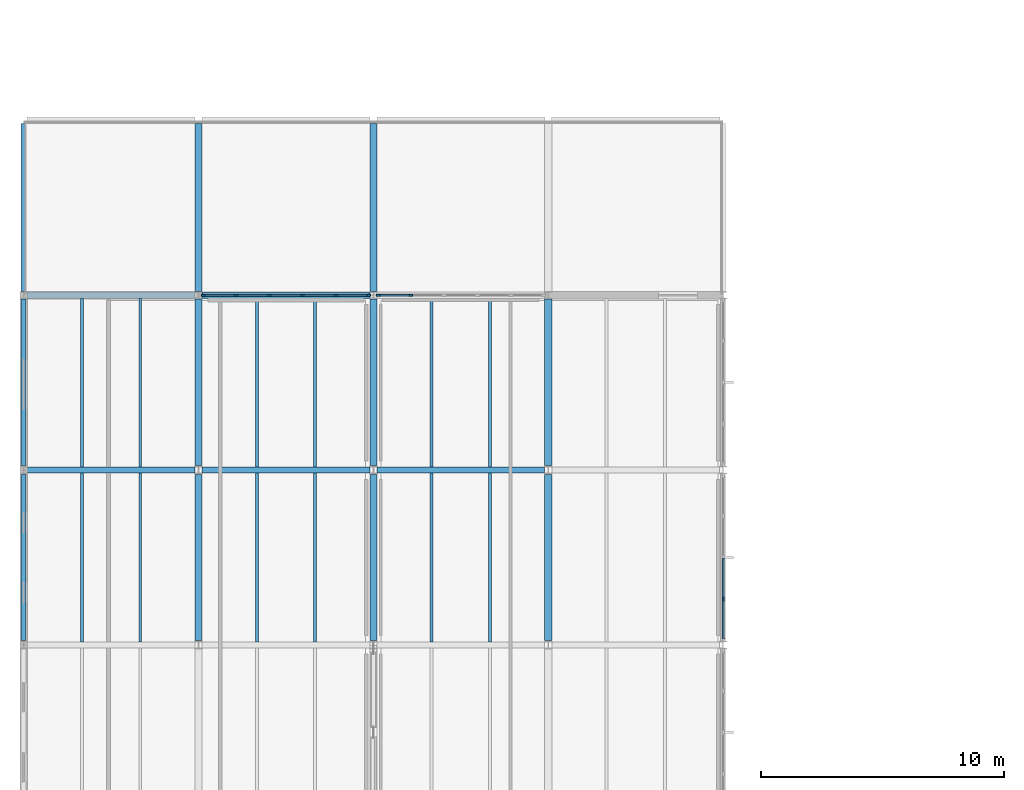
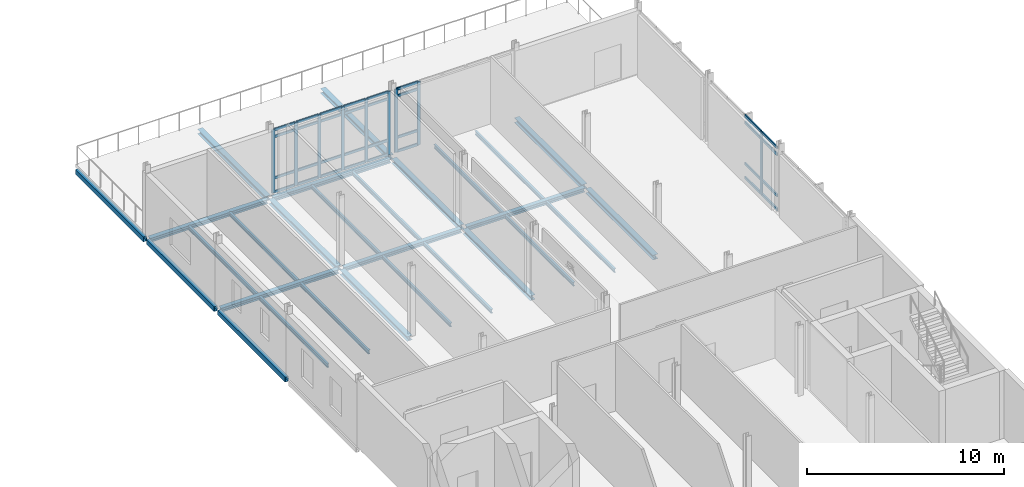
# One storey, part 5 of 21: 41 members, 28 beams, 3 elements without a shape of their own.
"""IFC4 building model written with IfcOpenShell, lengths in metres."""

from ifc_helpers import new_model, si_unit, direction, frame, origin, origin_2d, place, context, subcontext, project, spatial, rectangle, hollow_rectangle, i_section, extrude, material, layer, layer_set, material_profile, profile_set, type_object, element, aggregate, save


model = new_model("IFC4")

# Units and contexts
model_context = context("Model", 3, precision=1e-05, world=origin(), true_north=direction((0.0, 1.0)))
body_context = subcontext(model_context, "Body", "Model", "MODEL_VIEW")
ifc_project = project(units=[si_unit("LENGTHUNIT", "METRE"), si_unit("AREAUNIT", "SQUARE_METRE"), si_unit("VOLUMEUNIT", "CUBIC_METRE"), si_unit("PLANEANGLEUNIT", "RADIAN"), si_unit("MASSUNIT", "GRAM", prefix="KILO")], contexts=[model_context])

# Site, building, storey
site_placement = place(None, origin())
site = spatial("IfcSite", under=ifc_project, at=site_placement, CompositionType="ELEMENT")
building_placement = place(site_placement, origin())
building = spatial("IfcBuilding", under=site, at=building_placement, Name="Zarrinpeak Specialist Clinic", CompositionType="ELEMENT")
storey_placement = place(building_placement, frame((0.0, 0.0, 22.800048828125)))
storey = spatial("IfcBuildingStorey", under=building, at=storey_placement, Name="L05", CompositionType="ELEMENT", Elevation=22.800048828125)

# Beams
ifc_material_1 = material(Name="Steel S355", Category="steel")
ifc_material_profile_1 = material_profile(ifc_material_1, i_section(OverallWidth=0.260009765625, OverallDepth=0.25, WebThickness=0.007568359375, FlangeThickness=0.012451171875, FilletRadius=0.02392578125, at=origin_2d()), Name="HEA 260")
ifc_profile_set_1 = profile_set([ifc_material_profile_1], Name="Steel S355")
beam_type_1 = type_object("IfcBeamType", Name="BM-HEA260", PredefinedType="BEAM", material=ifc_profile_set_1)
for number, where, z_axis, x_axis, name in (
    (1, (0.14794921875, 36.0, -0.31005859375), (1.0, 0.0, 0.0), (0.0, 1.0, 0.0), "L05 Primary Floor Girder BM-L05-X2053"),
    (2, (7.347900390625, 36.0, -0.31005859375), (1.0, 0.0, 0.0), (0.0, 1.0, 0.0), "L05 Primary Floor Girder BM-L05-X2054"),
):
    element("IfcBeam", number, at=place(storey_placement, frame(where, z_axis=z_axis, x_axis=x_axis)), inside=storey, type_object=beam_type_1, Name=name, PredefinedType="BEAM", context=body_context, shape_type="SweptSolid", body=[
        extrude(i_section(OverallWidth=0.260009765625, OverallDepth=0.25, WebThickness=0.007568359375, FlangeThickness=0.012451171875, FilletRadius=0.02392578125, at=origin_2d()), origin(), (0.0, 0.0, 1.0), 6.904052734375),
    ])
beam_1_placement = place(storey_placement, frame((14.548095703125, 36.0, -0.31005859375), z_axis=(1.0, 0.0, 0.0), x_axis=(0.0, 1.0, 0.0)))
element("IfcBeam", 3, at=beam_1_placement, inside=storey, type_object=beam_type_1, Name="L05 Primary Floor Girder BM-L05-X2055", PredefinedType="BEAM", context=body_context, shape_type="SweptSolid", body=[
    extrude(i_section(OverallWidth=0.260009765625, OverallDepth=0.25, WebThickness=0.007568359375, FlangeThickness=0.012451171875, FilletRadius=0.02392578125, at=origin_2d()), origin(), (0.0, 0.0, 1.0), 6.90380859375),
])
for number, where, z_axis, x_axis, name in (
    (4, (0.14794921875, 43.199951171875, -0.344970703125), (1.0, 0.0, 0.0), (0.0, 1.0, 0.0), "L05 Primary Floor Girder BM-L05-X2057"),
    (5, (7.347900390625, 43.199951171875, -0.344970703125), (1.0, 0.0, 0.0), (0.0, 1.0, 0.0), "L05 Primary Floor Girder BM-L05-X2058"),
):
    element("IfcBeam", number, at=place(storey_placement, frame(where, z_axis=z_axis, x_axis=x_axis)), inside=storey, type_object=beam_type_1, Name=name, PredefinedType="BEAM", context=body_context, shape_type="SweptSolid", body=[
        extrude(i_section(OverallWidth=0.260009765625, OverallDepth=0.25, WebThickness=0.007568359375, FlangeThickness=0.012451171875, FilletRadius=0.02392578125, at=origin_2d()), origin(), (0.0, 0.0, 1.0), 6.904052734375),
    ])
ifc_material_profile_2 = material_profile(ifc_material_1, i_section(OverallWidth=0.300048828125, OverallDepth=0.2900390625, WebThickness=0.008544921875, FlangeThickness=0.013916015625, FilletRadius=0.027099609375, at=origin_2d()), Name="HEA 300")
ifc_profile_set_2 = profile_set([ifc_material_profile_2], Name="Steel S355")
beam_type_2 = type_object("IfcBeamType", Name="BM-HEA300", PredefinedType="BEAM", material=ifc_profile_set_2)
beam_2_placement = place(storey_placement, frame((7.199951171875, 28.97802734375, -0.330078125), z_axis=(0.0, 1.0, 0.0), x_axis=(-1.0, 0.0, 0.0)))
element("IfcBeam", 6, at=beam_2_placement, inside=storey, type_object=beam_type_2, Name="L05 Primary Beam BM-L05-Y2091", PredefinedType="BEAM", context=body_context, shape_type="SweptSolid", body=[
    extrude(i_section(OverallWidth=0.300048828125, OverallDepth=0.2900390625, WebThickness=0.008544921875, FlangeThickness=0.013916015625, FilletRadius=0.027099609375, at=origin_2d()), origin(), (0.0, 0.0, 1.0), 6.843994140625),
])
beam_3_placement = place(storey_placement, frame((7.199951171875, 36.177978515625, -0.330078125), z_axis=(0.0, 1.0, 0.0), x_axis=(-1.0, 0.0, 0.0)))
element("IfcBeam", 7, at=beam_3_placement, inside=storey, type_object=beam_type_2, Name="L05 Primary Beam BM-L05-Y2092", PredefinedType="BEAM", context=body_context, shape_type="SweptSolid", body=[
    extrude(i_section(OverallWidth=0.300048828125, OverallDepth=0.2900390625, WebThickness=0.008544921875, FlangeThickness=0.013916015625, FilletRadius=0.027099609375, at=origin_2d()), origin(), (0.0, 0.0, 1.0), 6.864013671875),
])
beam_4_placement = place(storey_placement, frame((7.199951171875, 43.35791015625, -0.364990234375), z_axis=(0.0, 1.0, 0.0), x_axis=(-1.0, 0.0, 0.0)))
element("IfcBeam", 8, at=beam_4_placement, inside=storey, type_object=beam_type_2, Name="L05 Primary Beam BM-L05-Y2093", PredefinedType="BEAM", context=body_context, shape_type="SweptSolid", body=[
    extrude(i_section(OverallWidth=0.300048828125, OverallDepth=0.2900390625, WebThickness=0.008544921875, FlangeThickness=0.013916015625, FilletRadius=0.027099609375, at=origin_2d()), origin(), (0.0, 0.0, 1.0), 6.904052734375),
])
beam_5_placement = place(storey_placement, frame((14.39990234375, 28.97802734375, -0.330078125), z_axis=(0.0, 1.0, 0.0), x_axis=(-1.0, 0.0, 0.0)))
element("IfcBeam", 9, at=beam_5_placement, inside=storey, type_object=beam_type_2, Name="L05 Primary Beam BM-L05-Y2098", PredefinedType="BEAM", context=body_context, shape_type="SweptSolid", body=[
    extrude(i_section(OverallWidth=0.300048828125, OverallDepth=0.2900390625, WebThickness=0.008544921875, FlangeThickness=0.013916015625, FilletRadius=0.027099609375, at=origin_2d()), origin(), (0.0, 0.0, 1.0), 6.843994140625),
])
beam_6_placement = place(storey_placement, frame((14.39990234375, 36.177978515625, -0.330078125), z_axis=(0.0, 1.0, 0.0), x_axis=(-1.0, 0.0, 0.0)))
element("IfcBeam", 10, at=beam_6_placement, inside=storey, type_object=beam_type_2, Name="L05 Primary Beam BM-L05-Y2099", PredefinedType="BEAM", context=body_context, shape_type="SweptSolid", body=[
    extrude(i_section(OverallWidth=0.300048828125, OverallDepth=0.2900390625, WebThickness=0.008544921875, FlangeThickness=0.013916015625, FilletRadius=0.027099609375, at=origin_2d()), origin(), (0.0, 0.0, 1.0), 6.864013671875),
])
beam_7_placement = place(storey_placement, frame((14.39990234375, 43.35791015625, -0.364990234375), z_axis=(0.0, 1.0, 0.0), x_axis=(-1.0, 0.0, 0.0)))
element("IfcBeam", 11, at=beam_7_placement, inside=storey, type_object=beam_type_2, Name="L05 Primary Beam BM-L05-Y2100", PredefinedType="BEAM", context=body_context, shape_type="SweptSolid", body=[
    extrude(i_section(OverallWidth=0.300048828125, OverallDepth=0.2900390625, WebThickness=0.008544921875, FlangeThickness=0.013916015625, FilletRadius=0.027099609375, at=origin_2d()), origin(), (0.0, 0.0, 1.0), 6.904052734375),
])
beam_8_placement = place(storey_placement, frame((21.60009765625, 28.97802734375, -0.330078125), z_axis=(0.0, 1.0, 0.0), x_axis=(-1.0, 0.0, 0.0)))
element("IfcBeam", 12, at=beam_8_placement, inside=storey, type_object=beam_type_2, Name="L05 Primary Beam BM-L05-Y2105", PredefinedType="BEAM", context=body_context, shape_type="SweptSolid", body=[
    extrude(i_section(OverallWidth=0.300048828125, OverallDepth=0.2900390625, WebThickness=0.008544921875, FlangeThickness=0.013916015625, FilletRadius=0.027099609375, at=origin_2d()), origin(), (0.0, 0.0, 1.0), 6.843994140625),
])
beam_9_placement = place(storey_placement, frame((21.60009765625, 36.177978515625, -0.330078125), z_axis=(0.0, 1.0, 0.0), x_axis=(-1.0, 0.0, 0.0)))
element("IfcBeam", 13, at=beam_9_placement, inside=storey, type_object=beam_type_2, Name="L05 Primary Beam BM-L05-Y2106", PredefinedType="BEAM", context=body_context, shape_type="SweptSolid", body=[
    extrude(i_section(OverallWidth=0.300048828125, OverallDepth=0.2900390625, WebThickness=0.008544921875, FlangeThickness=0.013916015625, FilletRadius=0.027099609375, at=origin_2d()), origin(), (0.0, 0.0, 1.0), 6.864013671875),
])
ifc_material_profile_3 = material_profile(ifc_material_1, i_section(OverallWidth=0.1201171875, OverallDepth=0.239990234375, WebThickness=0.006103515625, FlangeThickness=0.009765625, FilletRadius=0.014892578125, at=origin_2d()), Name="IPE 240")
ifc_profile_set_3 = profile_set([ifc_material_profile_3], Name="Steel S355")
beam_type_3 = type_object("IfcBeamType", Name="BM-JST240", PredefinedType="JOIST", material=ifc_profile_set_3)
for number, where, z_axis, x_axis, name in (
    (14, (2.39990234375, 28.927978515625, -0.304931640625), (0.0, 1.0, 0.0), (-1.0, 0.0, 0.0), "L05 Composite Floor Joist JST-L05-2130"),
    (15, (4.800048828125, 28.927978515625, -0.304931640625), (0.0, 1.0, 0.0), (-1.0, 0.0, 0.0), "L05 Composite Floor Joist JST-L05-2131"),
    (16, (2.39990234375, 36.1279296875, -0.304931640625), (0.0, 1.0, 0.0), (-1.0, 0.0, 0.0), "L05 Composite Floor Joist JST-L05-2132"),
    (17, (4.800048828125, 36.1279296875, -0.304931640625), (0.0, 1.0, 0.0), (-1.0, 0.0, 0.0), "L05 Composite Floor Joist JST-L05-2133"),
    (18, (9.60009765625, 28.927978515625, -0.304931640625), (0.0, 1.0, 0.0), (-1.0, 0.0, 0.0), "L05 Composite Floor Joist JST-L05-2142"),
    (19, (12.0, 28.927978515625, -0.304931640625), (0.0, 1.0, 0.0), (-1.0, 0.0, 0.0), "L05 Composite Floor Joist JST-L05-2143"),
    (20, (9.60009765625, 36.1279296875, -0.304931640625), (0.0, 1.0, 0.0), (-1.0, 0.0, 0.0), "L05 Composite Floor Joist JST-L05-2144"),
    (21, (12.0, 36.1279296875, -0.304931640625), (0.0, 1.0, 0.0), (-1.0, 0.0, 0.0), "L05 Composite Floor Joist JST-L05-2145"),
    (22, (16.800048828125, 28.927978515625, -0.304931640625), (0.0, 1.0, 0.0), (-1.0, 0.0, 0.0), "L05 Composite Floor Joist JST-L05-2154"),
    (23, (19.199951171875, 28.927978515625, -0.304931640625), (0.0, 1.0, 0.0), (-1.0, 0.0, 0.0), "L05 Composite Floor Joist JST-L05-2155"),
    (24, (16.800048828125, 36.1279296875, -0.304931640625), (0.0, 1.0, 0.0), (-1.0, 0.0, 0.0), "L05 Composite Floor Joist JST-L05-2156"),
    (25, (19.199951171875, 36.1279296875, -0.304931640625), (0.0, 1.0, 0.0), (-1.0, 0.0, 0.0), "L05 Composite Floor Joist JST-L05-2157"),
):
    element("IfcBeam", number, at=place(storey_placement, frame(where, z_axis=z_axis, x_axis=x_axis)), inside=storey, type_object=beam_type_3, Name=name, PredefinedType="JOIST", context=body_context, shape_type="SweptSolid", body=[
        extrude(i_section(OverallWidth=0.1201171875, OverallDepth=0.239990234375, WebThickness=0.006103515625, FlangeThickness=0.009765625, FilletRadius=0.014892578125, at=origin_2d()), origin(), (0.0, 0.0, 1.0), 6.944091796875),
    ])
ifc_material_profile_4 = material_profile(ifc_material_1, hollow_rectangle(XDim=0.199951171875, YDim=0.300048828125, WallThickness=0.012451171875, at=origin_2d()), Name="RHS 300x200x12.5")
ifc_profile_set_4 = profile_set([ifc_material_profile_4], Name="Steel S355")
beam_type_4 = type_object("IfcBeamType", Name="BM-SP300", PredefinedType="SPANDREL", material=ifc_profile_set_4)
beam_10_placement = place(storey_placement, frame((0.0, 28.97802734375, -0.3349609375), z_axis=(0.0, 1.0, 0.0), x_axis=(-1.0, 0.0, 0.0)))
element("IfcBeam", 26, at=beam_10_placement, inside=storey, type_object=beam_type_4, Name="L05 Perimeter Spandrel Beam BM-L05-Y2084", PredefinedType="SPANDREL", context=body_context, shape_type="SweptSolid", body=[
    extrude(hollow_rectangle(XDim=0.199951171875, YDim=0.300048828125, WallThickness=0.012451171875, at=origin_2d()), origin(), (0.0, 0.0, 1.0), 6.843994140625),
])
beam_11_placement = place(storey_placement, frame((0.0, 36.177978515625, -0.3349609375), z_axis=(0.0, 1.0, 0.0), x_axis=(-1.0, 0.0, 0.0)))
element("IfcBeam", 27, at=beam_11_placement, inside=storey, type_object=beam_type_4, Name="L05 Perimeter Spandrel Beam BM-L05-Y2085", PredefinedType="SPANDREL", context=body_context, shape_type="SweptSolid", body=[
    extrude(hollow_rectangle(XDim=0.199951171875, YDim=0.300048828125, WallThickness=0.012451171875, at=origin_2d()), origin(), (0.0, 0.0, 1.0), 6.864013671875),
])
beam_12_placement = place(storey_placement, frame((0.0, 43.35791015625, -0.3701171875), z_axis=(0.0, 1.0, 0.0), x_axis=(-1.0, 0.0, 0.0)))
element("IfcBeam", 28, at=beam_12_placement, inside=storey, type_object=beam_type_4, Name="L05 Perimeter Spandrel Beam BM-L05-Y2086", PredefinedType="SPANDREL", context=body_context, shape_type="SweptSolid", body=[
    extrude(hollow_rectangle(XDim=0.199951171875, YDim=0.300048828125, WallThickness=0.012451171875, at=origin_2d()), origin(), (0.0, 0.0, 1.0), 6.904052734375),
])

# Curtain wall, members
ifc_material_2 = material(Name="Anodised Aluminium Alloy 6063-T6", Category="aluminium")
ifc_layer_1 = layer(ifc_material_2, 0.1650390625)
ifc_layer_set_1 = layer_set([ifc_layer_1], Name="Anodised Aluminium Alloy 6063-T6")
curtain_wall_type_1 = type_object("IfcCurtainWallType", Name="CW-CLINIC", PredefinedType="NOTDEFINED", material=ifc_layer_set_1)
curtain_wall_1_placement = place(storey_placement, origin())
curtain_wall_1 = element("IfcCurtainWall", 29, at=curtain_wall_1_placement, inside=storey, type_object=curtain_wall_type_1, Name="L05 V1 Unitised Curtain Wall CW-L05-V1-031", PredefinedType="NOTDEFINED")
ifc_material_profile_5 = material_profile(ifc_material_2, rectangle(XDim=0.074951171875, YDim=0.179931640625, at=origin_2d()), Name="ALU 75x180")
ifc_profile_set_5 = profile_set([ifc_material_profile_5], Name="Anodised Aluminium Alloy 6063-T6")
member_type_1 = type_object("IfcMemberType", Name="CWM-75", PredefinedType="MULLION", material=ifc_profile_set_5)
member_1_placement = place(storey_placement, frame((14.197509765625, 43.199951171875, 0.0), z_axis=(0.0, 0.0, 1.0), x_axis=(0.0, -1.0, 0.0)))
member_1 = element("IfcMember", 30, at=member_1_placement, type_object=member_type_1, Name="CW-03 mullion 1", PredefinedType="MULLION", context=body_context, shape_type="SweptSolid", body=[
    extrude(rectangle(XDim=0.074951171875, YDim=0.179931640625, at=origin_2d()), origin(), (0.0, 0.0, 1.0), 3.9150390625),
])
member_2_placement = place(storey_placement, frame((12.861083984375, 43.199951171875, 0.0), z_axis=(0.0, 0.0, 1.0), x_axis=(0.0, -1.0, 0.0)))
member_2 = element("IfcMember", 31, at=member_2_placement, type_object=member_type_1, Name="CW-03 mullion 2", PredefinedType="MULLION", context=body_context, shape_type="SweptSolid", body=[
    extrude(rectangle(XDim=0.074951171875, YDim=0.179931640625, at=origin_2d()), origin(), (0.0, 0.0, 1.0), 3.9150390625),
])
member_3_placement = place(storey_placement, frame((11.487060546875, 43.199951171875, 0.0), z_axis=(0.0, 0.0, 1.0), x_axis=(0.0, -1.0, 0.0)))
member_3 = element("IfcMember", 32, at=member_3_placement, type_object=member_type_1, Name="CW-03 mullion 3", PredefinedType="MULLION", context=body_context, shape_type="SweptSolid", body=[
    extrude(rectangle(XDim=0.074951171875, YDim=0.179931640625, at=origin_2d()), origin(), (0.0, 0.0, 1.0), 3.9150390625),
])
member_4_placement = place(storey_placement, frame((10.113037109375, 43.199951171875, 0.0), z_axis=(0.0, 0.0, 1.0), x_axis=(0.0, -1.0, 0.0)))
member_4 = element("IfcMember", 33, at=member_4_placement, type_object=member_type_1, Name="CW-03 mullion 4", PredefinedType="MULLION", context=body_context, shape_type="SweptSolid", body=[
    extrude(rectangle(XDim=0.074951171875, YDim=0.179931640625, at=origin_2d()), origin(), (0.0, 0.0, 1.0), 3.9150390625),
])
member_5_placement = place(storey_placement, frame((8.739013671875, 43.199951171875, 0.0), z_axis=(0.0, 0.0, 1.0), x_axis=(0.0, -1.0, 0.0)))
member_5 = element("IfcMember", 34, at=member_5_placement, type_object=member_type_1, Name="CW-03 mullion 5", PredefinedType="MULLION", context=body_context, shape_type="SweptSolid", body=[
    extrude(rectangle(XDim=0.074951171875, YDim=0.179931640625, at=origin_2d()), origin(), (0.0, 0.0, 1.0), 3.9150390625),
])
member_6_placement = place(storey_placement, frame((7.402587890625, 43.199951171875, 0.0), z_axis=(0.0, 0.0, 1.0), x_axis=(0.0, -1.0, 0.0)))
member_6 = element("IfcMember", 35, at=member_6_placement, type_object=member_type_1, Name="CW-03 mullion 6", PredefinedType="MULLION", context=body_context, shape_type="SweptSolid", body=[
    extrude(rectangle(XDim=0.074951171875, YDim=0.179931640625, at=origin_2d()), origin(), (0.0, 0.0, 1.0), 3.9150390625),
])

curtain_wall_2_placement = place(storey_placement, origin())
curtain_wall_2 = element("IfcCurtainWall", 36, at=curtain_wall_2_placement, inside=storey, type_object=curtain_wall_type_1, Name="L05 V1 Unitised Curtain Wall CW-L05-V1-032", PredefinedType="NOTDEFINED")
member_7_placement = place(storey_placement, frame((15.93896484375, 43.199951171875, 0.0), z_axis=(0.0, 0.0, 1.0), x_axis=(0.0, -1.0, 0.0)))
member_7 = element("IfcMember", 37, at=member_7_placement, type_object=member_type_1, Name="CW-03 mullion 5", PredefinedType="MULLION", context=body_context, shape_type="SweptSolid", body=[
    extrude(rectangle(XDim=0.074951171875, YDim=0.179931640625, at=origin_2d()), origin(), (0.0, 0.0, 1.0), 3.9150390625),
])
member_8_placement = place(storey_placement, frame((14.6025390625, 43.199951171875, 0.0), z_axis=(0.0, 0.0, 1.0), x_axis=(0.0, -1.0, 0.0)))
member_8 = element("IfcMember", 38, at=member_8_placement, type_object=member_type_1, Name="CW-03 mullion 6", PredefinedType="MULLION", context=body_context, shape_type="SweptSolid", body=[
    extrude(rectangle(XDim=0.074951171875, YDim=0.179931640625, at=origin_2d()), origin(), (0.0, 0.0, 1.0), 3.9150390625),
])

# Curtain wall, member
ifc_layer_2 = layer(ifc_material_2, 0.179931640625)
ifc_layer_set_2 = layer_set([ifc_layer_2], Name="Anodised Aluminium Alloy 6063-T6")
curtain_wall_type_2 = type_object("IfcCurtainWallType", Name="CW-COURT", PredefinedType="NOTDEFINED", material=ifc_layer_set_2)
curtain_wall_3_placement = place(storey_placement, origin())
curtain_wall_3 = element("IfcCurtainWall", 39, at=curtain_wall_3_placement, inside=storey, type_object=curtain_wall_type_2, Name="L05 V1 Unitised Curtain Wall CW-L05-V1-034", PredefinedType="NOTDEFINED")
member_9_placement = place(storey_placement, frame((28.800048828125, 30.6923828125, 0.0), z_axis=(0.0, 0.0, 1.0), x_axis=(-1.0, 0.0, 0.0)))
member_9 = element("IfcMember", 40, at=member_9_placement, type_object=member_type_1, Name="CW-01 mullion 2", PredefinedType="MULLION", context=body_context, shape_type="SweptSolid", body=[
    extrude(rectangle(XDim=0.074951171875, YDim=0.179931640625, at=origin_2d()), origin(), (0.0, 0.0, 1.0), 3.89990234375),
])

# Member
ifc_material_profile_6 = material_profile(ifc_material_2, rectangle(XDim=0.074951171875, YDim=0.159912109375, at=origin_2d()), Name="ALU 75x160")
ifc_profile_set_6 = profile_set([ifc_material_profile_6], Name="Anodised Aluminium Alloy 6063-T6")
member_type_2 = type_object("IfcMemberType", Name="CWT-75", PredefinedType="USERDEFINED", material=ifc_profile_set_6)
member_10_placement = place(storey_placement, frame((14.159912109375, 43.199951171875, 0.037353515625), z_axis=(-1.0, 0.0, 0.0), x_axis=(0.0, -1.0, 0.0)))
member_10 = element("IfcMember", 41, at=member_10_placement, type_object=member_type_2, Name="CW-03 transom 1.1", ObjectType="TRANSOM", PredefinedType="USERDEFINED", context=body_context, shape_type="SweptSolid", body=[
    extrude(rectangle(XDim=0.074951171875, YDim=0.159912109375, at=origin_2d()), origin(), (0.0, 0.0, 1.0), 1.261474609375),
])

member_11_placement = place(storey_placement, frame((14.159912109375, 43.199951171875, 0.89990234375), z_axis=(-1.0, 0.0, 0.0), x_axis=(0.0, -1.0, 0.0)))
member_11 = element("IfcMember", 42, at=member_11_placement, type_object=member_type_2, Name="CW-03 transom 1.2", ObjectType="TRANSOM", PredefinedType="USERDEFINED", context=body_context, shape_type="SweptSolid", body=[
    extrude(rectangle(XDim=0.074951171875, YDim=0.159912109375, at=origin_2d()), origin(), (0.0, 0.0, 1.0), 1.261474609375),
])

member_12_placement = place(storey_placement, frame((14.159912109375, 43.199951171875, 3.46484375), z_axis=(-1.0, 0.0, 0.0), x_axis=(0.0, -1.0, 0.0)))
member_12 = element("IfcMember", 43, at=member_12_placement, type_object=member_type_2, Name="CW-03 transom 1.3", ObjectType="TRANSOM", PredefinedType="USERDEFINED", context=body_context, shape_type="SweptSolid", body=[
    extrude(rectangle(XDim=0.074951171875, YDim=0.159912109375, at=origin_2d()), origin(), (0.0, 0.0, 1.0), 1.261474609375),
])

member_13_placement = place(storey_placement, frame((14.159912109375, 43.199951171875, 3.87744140625), z_axis=(-1.0, 0.0, 0.0), x_axis=(0.0, -1.0, 0.0)))
member_13 = element("IfcMember", 44, at=member_13_placement, type_object=member_type_2, Name="CW-03 transom 1.4", ObjectType="TRANSOM", PredefinedType="USERDEFINED", context=body_context, shape_type="SweptSolid", body=[
    extrude(rectangle(XDim=0.074951171875, YDim=0.159912109375, at=origin_2d()), origin(), (0.0, 0.0, 1.0), 1.261474609375),
])

member_14_placement = place(storey_placement, frame((12.823486328125, 43.199951171875, 0.037353515625), z_axis=(-1.0, 0.0, 0.0), x_axis=(0.0, -1.0, 0.0)))
member_14 = element("IfcMember", 45, at=member_14_placement, type_object=member_type_2, Name="CW-03 transom 2.1", ObjectType="TRANSOM", PredefinedType="USERDEFINED", context=body_context, shape_type="SweptSolid", body=[
    extrude(rectangle(XDim=0.074951171875, YDim=0.159912109375, at=origin_2d()), origin(), (0.0, 0.0, 1.0), 1.299072265625),
])

member_15_placement = place(storey_placement, frame((12.823486328125, 43.199951171875, 0.89990234375), z_axis=(-1.0, 0.0, 0.0), x_axis=(0.0, -1.0, 0.0)))
member_15 = element("IfcMember", 46, at=member_15_placement, type_object=member_type_2, Name="CW-03 transom 2.2", ObjectType="TRANSOM", PredefinedType="USERDEFINED", context=body_context, shape_type="SweptSolid", body=[
    extrude(rectangle(XDim=0.074951171875, YDim=0.159912109375, at=origin_2d()), origin(), (0.0, 0.0, 1.0), 1.299072265625),
])

member_16_placement = place(storey_placement, frame((12.823486328125, 43.199951171875, 3.46484375), z_axis=(-1.0, 0.0, 0.0), x_axis=(0.0, -1.0, 0.0)))
member_16 = element("IfcMember", 47, at=member_16_placement, type_object=member_type_2, Name="CW-03 transom 2.3", ObjectType="TRANSOM", PredefinedType="USERDEFINED", context=body_context, shape_type="SweptSolid", body=[
    extrude(rectangle(XDim=0.074951171875, YDim=0.159912109375, at=origin_2d()), origin(), (0.0, 0.0, 1.0), 1.299072265625),
])

member_17_placement = place(storey_placement, frame((12.823486328125, 43.199951171875, 3.87744140625), z_axis=(-1.0, 0.0, 0.0), x_axis=(0.0, -1.0, 0.0)))
member_17 = element("IfcMember", 48, at=member_17_placement, type_object=member_type_2, Name="CW-03 transom 2.4", ObjectType="TRANSOM", PredefinedType="USERDEFINED", context=body_context, shape_type="SweptSolid", body=[
    extrude(rectangle(XDim=0.074951171875, YDim=0.159912109375, at=origin_2d()), origin(), (0.0, 0.0, 1.0), 1.299072265625),
])

member_18_placement = place(storey_placement, frame((11.449462890625, 43.199951171875, 0.037353515625), z_axis=(-1.0, 0.0, 0.0), x_axis=(0.0, -1.0, 0.0)))
member_18 = element("IfcMember", 49, at=member_18_placement, type_object=member_type_2, Name="CW-03 transom 3.1", ObjectType="TRANSOM", PredefinedType="USERDEFINED", context=body_context, shape_type="SweptSolid", body=[
    extrude(rectangle(XDim=0.074951171875, YDim=0.159912109375, at=origin_2d()), origin(), (0.0, 0.0, 1.0), 1.299072265625),
])

member_19_placement = place(storey_placement, frame((11.449462890625, 43.199951171875, 0.89990234375), z_axis=(-1.0, 0.0, 0.0), x_axis=(0.0, -1.0, 0.0)))
member_19 = element("IfcMember", 50, at=member_19_placement, type_object=member_type_2, Name="CW-03 transom 3.2", ObjectType="TRANSOM", PredefinedType="USERDEFINED", context=body_context, shape_type="SweptSolid", body=[
    extrude(rectangle(XDim=0.074951171875, YDim=0.159912109375, at=origin_2d()), origin(), (0.0, 0.0, 1.0), 1.299072265625),
])

member_20_placement = place(storey_placement, frame((11.449462890625, 43.199951171875, 3.46484375), z_axis=(-1.0, 0.0, 0.0), x_axis=(0.0, -1.0, 0.0)))
member_20 = element("IfcMember", 51, at=member_20_placement, type_object=member_type_2, Name="CW-03 transom 3.3", ObjectType="TRANSOM", PredefinedType="USERDEFINED", context=body_context, shape_type="SweptSolid", body=[
    extrude(rectangle(XDim=0.074951171875, YDim=0.159912109375, at=origin_2d()), origin(), (0.0, 0.0, 1.0), 1.299072265625),
])

member_21_placement = place(storey_placement, frame((11.449462890625, 43.199951171875, 3.87744140625), z_axis=(-1.0, 0.0, 0.0), x_axis=(0.0, -1.0, 0.0)))
member_21 = element("IfcMember", 52, at=member_21_placement, type_object=member_type_2, Name="CW-03 transom 3.4", ObjectType="TRANSOM", PredefinedType="USERDEFINED", context=body_context, shape_type="SweptSolid", body=[
    extrude(rectangle(XDim=0.074951171875, YDim=0.159912109375, at=origin_2d()), origin(), (0.0, 0.0, 1.0), 1.299072265625),
])

member_22_placement = place(storey_placement, frame((10.075439453125, 43.199951171875, 0.037353515625), z_axis=(-1.0, 0.0, 0.0), x_axis=(0.0, -1.0, 0.0)))
member_22 = element("IfcMember", 53, at=member_22_placement, type_object=member_type_2, Name="CW-03 transom 4.1", ObjectType="TRANSOM", PredefinedType="USERDEFINED", context=body_context, shape_type="SweptSolid", body=[
    extrude(rectangle(XDim=0.074951171875, YDim=0.159912109375, at=origin_2d()), origin(), (0.0, 0.0, 1.0), 1.298828125),
])

member_23_placement = place(storey_placement, frame((10.075439453125, 43.199951171875, 0.89990234375), z_axis=(-1.0, 0.0, 0.0), x_axis=(0.0, -1.0, 0.0)))
member_23 = element("IfcMember", 54, at=member_23_placement, type_object=member_type_2, Name="CW-03 transom 4.2", ObjectType="TRANSOM", PredefinedType="USERDEFINED", context=body_context, shape_type="SweptSolid", body=[
    extrude(rectangle(XDim=0.074951171875, YDim=0.159912109375, at=origin_2d()), origin(), (0.0, 0.0, 1.0), 1.298828125),
])

member_24_placement = place(storey_placement, frame((10.075439453125, 43.199951171875, 3.46484375), z_axis=(-1.0, 0.0, 0.0), x_axis=(0.0, -1.0, 0.0)))
member_24 = element("IfcMember", 55, at=member_24_placement, type_object=member_type_2, Name="CW-03 transom 4.3", ObjectType="TRANSOM", PredefinedType="USERDEFINED", context=body_context, shape_type="SweptSolid", body=[
    extrude(rectangle(XDim=0.074951171875, YDim=0.159912109375, at=origin_2d()), origin(), (0.0, 0.0, 1.0), 1.298828125),
])

member_25_placement = place(storey_placement, frame((10.075439453125, 43.199951171875, 3.87744140625), z_axis=(-1.0, 0.0, 0.0), x_axis=(0.0, -1.0, 0.0)))
member_25 = element("IfcMember", 56, at=member_25_placement, type_object=member_type_2, Name="CW-03 transom 4.4", ObjectType="TRANSOM", PredefinedType="USERDEFINED", context=body_context, shape_type="SweptSolid", body=[
    extrude(rectangle(XDim=0.074951171875, YDim=0.159912109375, at=origin_2d()), origin(), (0.0, 0.0, 1.0), 1.298828125),
])

member_26_placement = place(storey_placement, frame((8.701416015625, 43.199951171875, 0.037353515625), z_axis=(-1.0, 0.0, 0.0), x_axis=(0.0, -1.0, 0.0)))
member_26 = element("IfcMember", 57, at=member_26_placement, type_object=member_type_2, Name="CW-03 transom 5.1", ObjectType="TRANSOM", PredefinedType="USERDEFINED", context=body_context, shape_type="SweptSolid", body=[
    extrude(rectangle(XDim=0.074951171875, YDim=0.159912109375, at=origin_2d()), origin(), (0.0, 0.0, 1.0), 1.261474609375),
])

member_27_placement = place(storey_placement, frame((8.701416015625, 43.199951171875, 0.89990234375), z_axis=(-1.0, 0.0, 0.0), x_axis=(0.0, -1.0, 0.0)))
member_27 = element("IfcMember", 58, at=member_27_placement, type_object=member_type_2, Name="CW-03 transom 5.2", ObjectType="TRANSOM", PredefinedType="USERDEFINED", context=body_context, shape_type="SweptSolid", body=[
    extrude(rectangle(XDim=0.074951171875, YDim=0.159912109375, at=origin_2d()), origin(), (0.0, 0.0, 1.0), 1.261474609375),
])

member_28_placement = place(storey_placement, frame((8.701416015625, 43.199951171875, 3.46484375), z_axis=(-1.0, 0.0, 0.0), x_axis=(0.0, -1.0, 0.0)))
member_28 = element("IfcMember", 59, at=member_28_placement, type_object=member_type_2, Name="CW-03 transom 5.3", ObjectType="TRANSOM", PredefinedType="USERDEFINED", context=body_context, shape_type="SweptSolid", body=[
    extrude(rectangle(XDim=0.074951171875, YDim=0.159912109375, at=origin_2d()), origin(), (0.0, 0.0, 1.0), 1.261474609375),
])

member_29_placement = place(storey_placement, frame((8.701416015625, 43.199951171875, 3.87744140625), z_axis=(-1.0, 0.0, 0.0), x_axis=(0.0, -1.0, 0.0)))
member_29 = element("IfcMember", 60, at=member_29_placement, type_object=member_type_2, Name="CW-03 transom 5.4", ObjectType="TRANSOM", PredefinedType="USERDEFINED", context=body_context, shape_type="SweptSolid", body=[
    extrude(rectangle(XDim=0.074951171875, YDim=0.159912109375, at=origin_2d()), origin(), (0.0, 0.0, 1.0), 1.261474609375),
])

aggregate(curtain_wall_1, [member_1, member_2, member_3, member_4, member_5, member_6, member_10, member_11, member_12, member_13, member_14, member_15, member_16, member_17, member_18, member_19, member_20, member_21, member_22, member_23, member_24, member_25, member_26, member_27, member_28, member_29])

member_30_placement = place(storey_placement, frame((15.901611328125, 43.199951171875, 0.037353515625), z_axis=(-1.0, 0.0, 0.0), x_axis=(0.0, -1.0, 0.0)))
member_30 = element("IfcMember", 61, at=member_30_placement, type_object=member_type_2, Name="CW-03 transom 5.1", ObjectType="TRANSOM", PredefinedType="USERDEFINED", context=body_context, shape_type="SweptSolid", body=[
    extrude(rectangle(XDim=0.074951171875, YDim=0.159912109375, at=origin_2d()), origin(), (0.0, 0.0, 1.0), 1.26171875),
])

member_31_placement = place(storey_placement, frame((15.901611328125, 43.199951171875, 0.89990234375), z_axis=(-1.0, 0.0, 0.0), x_axis=(0.0, -1.0, 0.0)))
member_31 = element("IfcMember", 62, at=member_31_placement, type_object=member_type_2, Name="CW-03 transom 5.2", ObjectType="TRANSOM", PredefinedType="USERDEFINED", context=body_context, shape_type="SweptSolid", body=[
    extrude(rectangle(XDim=0.074951171875, YDim=0.159912109375, at=origin_2d()), origin(), (0.0, 0.0, 1.0), 1.26171875),
])

member_32_placement = place(storey_placement, frame((15.901611328125, 43.199951171875, 3.46484375), z_axis=(-1.0, 0.0, 0.0), x_axis=(0.0, -1.0, 0.0)))
member_32 = element("IfcMember", 63, at=member_32_placement, type_object=member_type_2, Name="CW-03 transom 5.3", ObjectType="TRANSOM", PredefinedType="USERDEFINED", context=body_context, shape_type="SweptSolid", body=[
    extrude(rectangle(XDim=0.074951171875, YDim=0.159912109375, at=origin_2d()), origin(), (0.0, 0.0, 1.0), 1.26171875),
])

member_33_placement = place(storey_placement, frame((15.901611328125, 43.199951171875, 3.87744140625), z_axis=(-1.0, 0.0, 0.0), x_axis=(0.0, -1.0, 0.0)))
member_33 = element("IfcMember", 64, at=member_33_placement, type_object=member_type_2, Name="CW-03 transom 5.4", ObjectType="TRANSOM", PredefinedType="USERDEFINED", context=body_context, shape_type="SweptSolid", body=[
    extrude(rectangle(XDim=0.074951171875, YDim=0.159912109375, at=origin_2d()), origin(), (0.0, 0.0, 1.0), 1.26171875),
])

aggregate(curtain_wall_2, [member_7, member_8, member_30, member_31, member_32, member_33])

member_34_placement = place(storey_placement, frame((28.800048828125, 29.06005859375, 0.037353515625), z_axis=(0.0, 1.0, 0.0), x_axis=(-1.0, 0.0, 0.0)))
member_34 = element("IfcMember", 65, at=member_34_placement, type_object=member_type_2, Name="CW-01 transom 1.1", ObjectType="TRANSOM", PredefinedType="USERDEFINED", context=body_context, shape_type="SweptSolid", body=[
    extrude(rectangle(XDim=0.074951171875, YDim=0.159912109375, at=origin_2d()), origin(), (0.0, 0.0, 1.0), 1.594970703125),
])

member_35_placement = place(storey_placement, frame((28.800048828125, 29.06005859375, 0.89990234375), z_axis=(0.0, 1.0, 0.0), x_axis=(-1.0, 0.0, 0.0)))
member_35 = element("IfcMember", 66, at=member_35_placement, type_object=member_type_2, Name="CW-01 transom 1.2", ObjectType="TRANSOM", PredefinedType="USERDEFINED", context=body_context, shape_type="SweptSolid", body=[
    extrude(rectangle(XDim=0.074951171875, YDim=0.159912109375, at=origin_2d()), origin(), (0.0, 0.0, 1.0), 1.594970703125),
])

member_36_placement = place(storey_placement, frame((28.800048828125, 29.06005859375, 3.449951171875), z_axis=(0.0, 1.0, 0.0), x_axis=(-1.0, 0.0, 0.0)))
member_36 = element("IfcMember", 67, at=member_36_placement, type_object=member_type_2, Name="CW-01 transom 1.3", ObjectType="TRANSOM", PredefinedType="USERDEFINED", context=body_context, shape_type="SweptSolid", body=[
    extrude(rectangle(XDim=0.074951171875, YDim=0.159912109375, at=origin_2d()), origin(), (0.0, 0.0, 1.0), 1.594970703125),
])

member_37_placement = place(storey_placement, frame((28.800048828125, 29.06005859375, 3.862548828125), z_axis=(0.0, 1.0, 0.0), x_axis=(-1.0, 0.0, 0.0)))
member_37 = element("IfcMember", 68, at=member_37_placement, type_object=member_type_2, Name="CW-01 transom 1.4", ObjectType="TRANSOM", PredefinedType="USERDEFINED", context=body_context, shape_type="SweptSolid", body=[
    extrude(rectangle(XDim=0.074951171875, YDim=0.159912109375, at=origin_2d()), origin(), (0.0, 0.0, 1.0), 1.594970703125),
])

member_38_placement = place(storey_placement, frame((28.800048828125, 30.72998046875, 0.037353515625), z_axis=(0.0, 1.0, 0.0), x_axis=(-1.0, 0.0, 0.0)))
member_38 = element("IfcMember", 69, at=member_38_placement, type_object=member_type_2, Name="CW-01 transom 2.1", ObjectType="TRANSOM", PredefinedType="USERDEFINED", context=body_context, shape_type="SweptSolid", body=[
    extrude(rectangle(XDim=0.074951171875, YDim=0.159912109375, at=origin_2d()), origin(), (0.0, 0.0, 1.0), 1.632568359375),
])

member_39_placement = place(storey_placement, frame((28.800048828125, 30.72998046875, 0.89990234375), z_axis=(0.0, 1.0, 0.0), x_axis=(-1.0, 0.0, 0.0)))
member_39 = element("IfcMember", 70, at=member_39_placement, type_object=member_type_2, Name="CW-01 transom 2.2", ObjectType="TRANSOM", PredefinedType="USERDEFINED", context=body_context, shape_type="SweptSolid", body=[
    extrude(rectangle(XDim=0.074951171875, YDim=0.159912109375, at=origin_2d()), origin(), (0.0, 0.0, 1.0), 1.632568359375),
])

member_40_placement = place(storey_placement, frame((28.800048828125, 30.72998046875, 3.449951171875), z_axis=(0.0, 1.0, 0.0), x_axis=(-1.0, 0.0, 0.0)))
member_40 = element("IfcMember", 71, at=member_40_placement, type_object=member_type_2, Name="CW-01 transom 2.3", ObjectType="TRANSOM", PredefinedType="USERDEFINED", context=body_context, shape_type="SweptSolid", body=[
    extrude(rectangle(XDim=0.074951171875, YDim=0.159912109375, at=origin_2d()), origin(), (0.0, 0.0, 1.0), 1.632568359375),
])

member_41_placement = place(storey_placement, frame((28.800048828125, 30.72998046875, 3.862548828125), z_axis=(0.0, 1.0, 0.0), x_axis=(-1.0, 0.0, 0.0)))
member_41 = element("IfcMember", 72, at=member_41_placement, type_object=member_type_2, Name="CW-01 transom 2.4", ObjectType="TRANSOM", PredefinedType="USERDEFINED", context=body_context, shape_type="SweptSolid", body=[
    extrude(rectangle(XDim=0.074951171875, YDim=0.159912109375, at=origin_2d()), origin(), (0.0, 0.0, 1.0), 1.632568359375),
])

aggregate(curtain_wall_3, [member_9, member_34, member_35, member_36, member_37, member_38, member_39, member_40, member_41])

save(model, "model.ifc")
